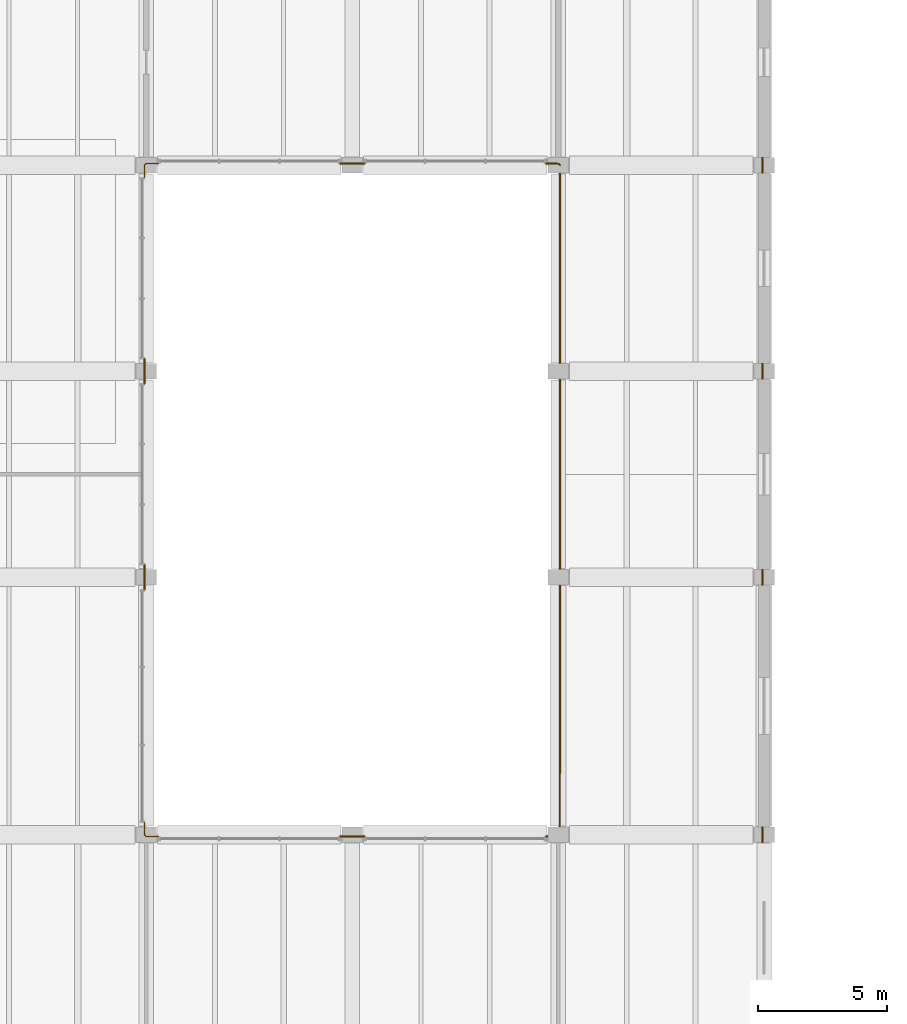
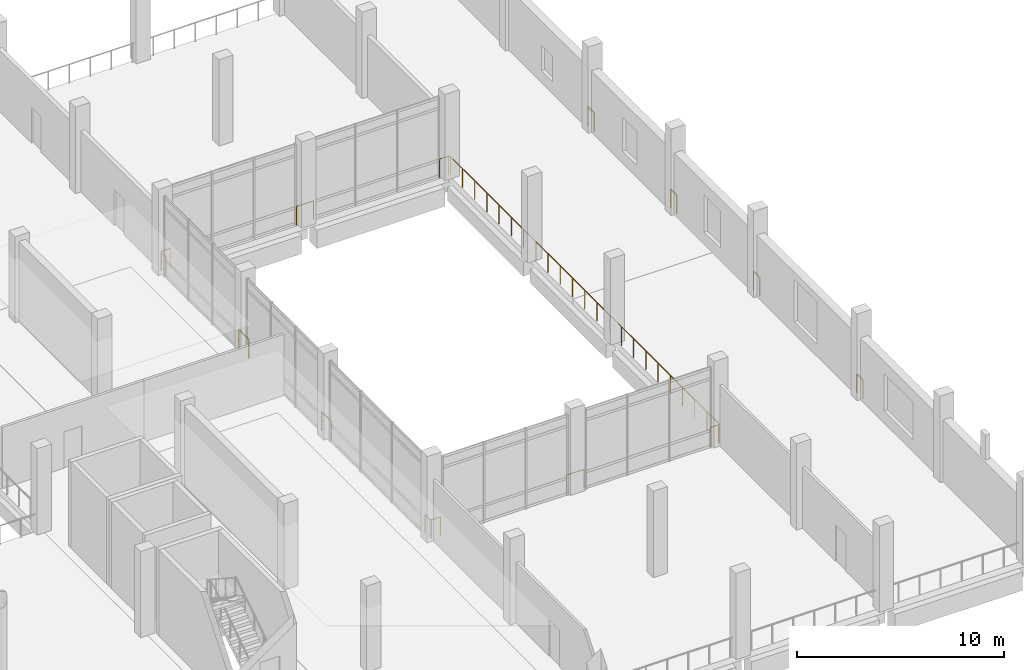
# One storey, part 60 of 61: 12 railings.
"""IFC4 building model written with IfcOpenShell, lengths in metres."""

from ifc_helpers import new_model, si_unit, direction, frame, origin, origin_2d, place, context, subcontext, project, spatial, circle, extrude, material, type_object, element, save


model = new_model("IFC4")

# Units and contexts
model_context = context("Model", 3, precision=1e-05, world=origin(), true_north=direction((0.0, 1.0)))
body_context = subcontext(model_context, "Body", "Model", "MODEL_VIEW")
ifc_project = project(units=[si_unit("LENGTHUNIT", "METRE"), si_unit("AREAUNIT", "SQUARE_METRE"), si_unit("VOLUMEUNIT", "CUBIC_METRE"), si_unit("PLANEANGLEUNIT", "RADIAN"), si_unit("MASSUNIT", "GRAM", prefix="KILO")], contexts=[model_context])

# Site, building, storey
site_placement = place(None, origin())
site = spatial("IfcSite", under=ifc_project, at=site_placement, CompositionType="ELEMENT")
building_placement = place(site_placement, origin())
building = spatial("IfcBuilding", under=site, at=building_placement, Name="Pecanmere Concourse Central Library", CompositionType="ELEMENT")
storey_placement = place(building_placement, frame((0.0, 0.0, 5.39990234375)))
storey = spatial("IfcBuildingStorey", under=building, at=storey_placement, Name="L02", CompositionType="ELEMENT", Elevation=5.39990234375)

# Railings
ifc_material = material(Name="Architectural anodized bronze")
railing_type = type_object("IfcRailingType", Name="RAIL_ATRIUM_BAL", PredefinedType="BALUSTRADE", material=ifc_material)
for number, where, name in (
    (1, (151.9296875, 90.294921875, 0.0), "Deck Edge Protective Balustrade L02-051"),
    (2, (151.929931640625, 82.294921875, 0.0), "Deck Edge Protective Balustrade L02-052"),
    (3, (151.929931640625, 74.294921875, 0.0), "Deck Edge Protective Balustrade L02-053"),
    (4, (151.929931640625, 64.294921875, 0.0), "Deck Edge Protective Balustrade L02-054"),
):
    element("IfcRailing", number, at=place(storey_placement, frame(where)), inside=storey, type_object=railing_type, Name=name, PredefinedType="BALUSTRADE", context=body_context, shape_type="SweptSolid", body=[
        extrude(circle(Radius=0.02392578125, at=origin_2d()), frame((0.0, 0.0, 1.09619140625), z_axis=(0.0, -1.0, 0.0), x_axis=(1.0, 0.0, 0.0)), (0.0, 0.0, 1.0), 0.58984375),
        extrude(circle(Radius=0.02099609375, at=origin_2d()), origin(), (0.0, 0.0, 1.0), 1.072021484375),
        extrude(circle(Radius=0.02099609375, at=origin_2d()), frame((0.0, -0.58984375, 0.0)), (0.0, 0.0, 1.0), 1.072021484375),
    ])
railing_1_placement = place(storey_placement, frame((144.069580078125, 89.996826171875, 0.0)))
element("IfcRailing", 5, at=railing_1_placement, inside=storey, type_object=railing_type, Name="Deck Edge Protective Balustrade L02-057", PredefinedType="BALUSTRADE", context=body_context, shape_type="SweptSolid", body=[
    extrude(circle(Radius=0.02392578125, at=origin_2d()), frame((0.0, 0.0, 1.09619140625), z_axis=(-0.591491231767, 0.806311430369, 0.0), x_axis=(-0.806311430369, -0.591491231767, 0.0)), (0.0, 0.0, 1.0), 0.0830078125),
    extrude(circle(Radius=0.02392578125, at=origin_2d()), frame((-0.049072265625, 0.06689453125, 1.09619140625), z_axis=(-0.999919581385, 0.012681906886, 0.0), x_axis=(-0.012681906886, -0.999919581385, 0.0)), (0.0, 0.0, 1.0), 0.50048828125),
    extrude(circle(Radius=0.02099609375, at=origin_2d()), origin(), (0.0, 0.0, 1.0), 1.072021484375),
    extrude(circle(Radius=0.02099609375, at=origin_2d()), frame((-0.049072265625, 0.06689453125, 0.0)), (0.0, 0.0, 1.0), 1.072021484375),
    extrude(circle(Radius=0.02099609375, at=origin_2d()), frame((-0.549560546875, 0.0732421875, 0.0)), (0.0, 0.0, 1.0), 1.072021484375),
])
railing_2_placement = place(storey_placement, frame((136.47998046875, 90.070068359375, 0.0)))
element("IfcRailing", 6, at=railing_2_placement, inside=storey, type_object=railing_type, Name="Deck Edge Protective Balustrade L02-058", PredefinedType="BALUSTRADE", context=body_context, shape_type="SweptSolid", body=[
    extrude(circle(Radius=0.02392578125, at=origin_2d()), frame((0.0, 0.0, 1.09619140625), z_axis=(-1.0, 0.0, 0.0), x_axis=(0.0, -1.0, 0.0)), (0.0, 0.0, 1.0), 0.9599609375),
    extrude(circle(Radius=0.02099609375, at=origin_2d()), origin(), (0.0, 0.0, 1.0), 1.072021484375),
    extrude(circle(Radius=0.02099609375, at=origin_2d()), frame((-0.9599609375, 0.0, 0.0)), (0.0, 0.0, 1.0), 1.072021484375),
])
railing_3_placement = place(storey_placement, frame((128.47998046875, 90.070068359375, 0.0)))
element("IfcRailing", 7, at=railing_3_placement, inside=storey, type_object=railing_type, Name="Deck Edge Protective Balustrade L02-059", PredefinedType="BALUSTRADE", context=body_context, shape_type="SweptSolid", body=[
    extrude(circle(Radius=0.02392578125, at=origin_2d()), frame((0.0, 0.0, 1.09619140625), z_axis=(-0.999999475645, -0.001024065003, 0.0), x_axis=(0.001024065003, -0.999999475645, 0.0)), (0.0, 0.0, 1.0), 0.476806640625),
    extrude(circle(Radius=0.02392578125, at=origin_2d()), frame((-0.476806640625, -0.00048828125, 1.09619140625), z_axis=(-0.806311430369, -0.591491231767, 0.0), x_axis=(0.591491231767, -0.806311430369, 0.0)), (0.0, 0.0, 1.0), 0.0830078125),
    extrude(circle(Radius=0.02392578125, at=origin_2d()), frame((-0.543701171875, -0.049560546875, 1.09619140625), z_axis=(-0.012681906886, -0.999919581385, 0.0), x_axis=(0.999919581385, -0.012681906886, 0.0)), (0.0, 0.0, 1.0), 0.50048828125),
    extrude(circle(Radius=0.02099609375, at=origin_2d()), origin(), (0.0, 0.0, 1.0), 1.072021484375),
    extrude(circle(Radius=0.02099609375, at=origin_2d()), frame((-0.476806640625, -0.00048828125, 0.0)), (0.0, 0.0, 1.0), 1.072021484375),
    extrude(circle(Radius=0.02099609375, at=origin_2d()), frame((-0.543701171875, -0.049560546875, 0.0)), (0.0, 0.0, 1.0), 1.072021484375),
    extrude(circle(Radius=0.02099609375, at=origin_2d()), frame((-0.550048828125, -0.550048828125, 0.0)), (0.0, 0.0, 1.0), 1.072021484375),
])
for number, where, name in (
    (8, (127.929931640625, 82.47998046875, 0.0), "Deck Edge Protective Balustrade L02-060"),
    (9, (127.929931640625, 74.47998046875, 0.0), "Deck Edge Protective Balustrade L02-061"),
):
    element("IfcRailing", number, at=place(storey_placement, frame(where)), inside=storey, type_object=railing_type, Name=name, PredefinedType="BALUSTRADE", context=body_context, shape_type="SweptSolid", body=[
        extrude(circle(Radius=0.02392578125, at=origin_2d()), frame((0.0, 0.0, 1.09619140625), z_axis=(0.0, -1.0, 0.0), x_axis=(1.0, 0.0, 0.0)), (0.0, 0.0, 1.0), 0.9599609375),
        extrude(circle(Radius=0.02099609375, at=origin_2d()), origin(), (0.0, 0.0, 1.0), 1.072021484375),
        extrude(circle(Radius=0.02099609375, at=origin_2d()), frame((0.0, -0.9599609375, 0.0)), (0.0, 0.0, 1.0), 1.072021484375),
    ])
railing_4_placement = place(storey_placement, frame((127.929931640625, 64.47998046875, 0.0)))
element("IfcRailing", 10, at=railing_4_placement, inside=storey, type_object=railing_type, Name="Deck Edge Protective Balustrade L02-062", PredefinedType="BALUSTRADE", context=body_context, shape_type="SweptSolid", body=[
    extrude(circle(Radius=0.02392578125, at=origin_2d()), frame((0.0, 0.0, 1.09619140625), z_axis=(0.001024065003, -0.999999475645, 0.0), x_axis=(0.999999475645, 0.001024065003, 0.0)), (0.0, 0.0, 1.0), 0.476806640625),
    extrude(circle(Radius=0.02392578125, at=origin_2d()), frame((0.00048828125, -0.476806640625, 1.09619140625), z_axis=(0.591491231767, -0.806311430369, 0.0), x_axis=(0.806311430369, 0.591491231767, 0.0)), (0.0, 0.0, 1.0), 0.0830078125),
    extrude(circle(Radius=0.02392578125, at=origin_2d()), frame((0.049560546875, -0.543701171875, 1.09619140625), z_axis=(0.999919581385, -0.012681906886, 0.0), x_axis=(0.012681906886, 0.999919581385, 0.0)), (0.0, 0.0, 1.0), 0.50048828125),
    extrude(circle(Radius=0.02099609375, at=origin_2d()), origin(), (0.0, 0.0, 1.0), 1.072021484375),
    extrude(circle(Radius=0.02099609375, at=origin_2d()), frame((0.00048828125, -0.476806640625, 0.0)), (0.0, 0.0, 1.0), 1.072021484375),
    extrude(circle(Radius=0.02099609375, at=origin_2d()), frame((0.049560546875, -0.543701171875, 0.0)), (0.0, 0.0, 1.0), 1.072021484375),
    extrude(circle(Radius=0.02099609375, at=origin_2d()), frame((0.550048828125, -0.550048828125, 0.0)), (0.0, 0.0, 1.0), 1.072021484375),
])
railing_5_placement = place(storey_placement, frame((135.52001953125, 63.929931640625, 0.0)))
element("IfcRailing", 11, at=railing_5_placement, inside=storey, type_object=railing_type, Name="Deck Edge Protective Balustrade L02-063", PredefinedType="BALUSTRADE", context=body_context, shape_type="SweptSolid", body=[
    extrude(circle(Radius=0.02392578125, at=origin_2d()), frame((0.0, 0.0, 1.09619140625), z_axis=(1.0, 0.0, 0.0), x_axis=(0.0, 1.0, 0.0)), (0.0, 0.0, 1.0), 0.9599609375),
    extrude(circle(Radius=0.02099609375, at=origin_2d()), origin(), (0.0, 0.0, 1.0), 1.072021484375),
    extrude(circle(Radius=0.02099609375, at=origin_2d()), frame((0.9599609375, 0.0, 0.0)), (0.0, 0.0, 1.0), 1.072021484375),
])
railing_6_placement = place(storey_placement, frame((143.52001953125, 63.929931640625, 0.0)))
element("IfcRailing", 12, at=railing_6_placement, inside=storey, type_object=railing_type, Name="Deck Edge Protective Balustrade L02-064", PredefinedType="BALUSTRADE", context=body_context, shape_type="SweptSolid", body=[
    extrude(circle(Radius=0.02392578125, at=origin_2d()), frame((0.0, 0.0, 1.09619140625), z_axis=(0.999999475645, 0.001024065003, 0.0), x_axis=(-0.001024065003, 0.999999475645, 0.0)), (0.0, 0.0, 1.0), 0.476806640625),
    extrude(circle(Radius=0.02392578125, at=origin_2d()), frame((0.476806640625, 0.00048828125, 1.09619140625), z_axis=(0.806311430369, 0.591491231767, 0.0), x_axis=(-0.591491231767, 0.806311430369, 0.0)), (0.0, 0.0, 1.0), 0.0830078125),
    extrude(circle(Radius=0.02392578125, at=origin_2d()), frame((0.543701171875, 0.049560546875, 1.09619140625), z_axis=(0.000225210425, 0.99999997464, 0.0), x_axis=(-0.99999997464, 0.000225210425, 0.0)), (0.0, 0.0, 1.0), 26.017333984375),
    extrude(circle(Radius=0.02099609375, at=origin_2d()), origin(), (0.0, 0.0, 1.0), 1.072021484375),
    extrude(circle(Radius=0.02099609375, at=origin_2d()), frame((0.476806640625, 0.00048828125, 0.0)), (0.0, 0.0, 1.0), 1.072021484375),
    extrude(circle(Radius=0.02099609375, at=origin_2d()), frame((0.543701171875, 0.049560546875, 0.0)), (0.0, 0.0, 1.0), 1.072021484375),
    extrude(circle(Radius=0.02099609375, at=origin_2d()), frame((0.5439453125, 1.232177734375, 0.0)), (0.0, 0.0, 1.0), 1.072021484375),
    extrude(circle(Radius=0.02099609375, at=origin_2d()), frame((0.544189453125, 2.414794921875, 0.0)), (0.0, 0.0, 1.0), 1.072021484375),
    extrude(circle(Radius=0.02099609375, at=origin_2d()), frame((0.54443359375, 3.597412109375, 0.0)), (0.0, 0.0, 1.0), 1.072021484375),
    extrude(circle(Radius=0.02099609375, at=origin_2d()), frame((0.544677734375, 4.780029296875, 0.0)), (0.0, 0.0, 1.0), 1.072021484375),
    extrude(circle(Radius=0.02099609375, at=origin_2d()), frame((0.544921875, 5.962646484375, 0.0)), (0.0, 0.0, 1.0), 1.072021484375),
    extrude(circle(Radius=0.02099609375, at=origin_2d()), frame((0.54541015625, 7.145263671875, 0.0)), (0.0, 0.0, 1.0), 1.072021484375),
    extrude(circle(Radius=0.02099609375, at=origin_2d()), frame((0.545654296875, 8.327880859375, 0.0)), (0.0, 0.0, 1.0), 1.072021484375),
    extrude(circle(Radius=0.02099609375, at=origin_2d()), frame((0.5458984375, 9.510498046875, 0.0)), (0.0, 0.0, 1.0), 1.072021484375),
    extrude(circle(Radius=0.02099609375, at=origin_2d()), frame((0.546142578125, 10.693115234375, 0.0)), (0.0, 0.0, 1.0), 1.072021484375),
    extrude(circle(Radius=0.02099609375, at=origin_2d()), frame((0.54638671875, 11.875732421875, 0.0)), (0.0, 0.0, 1.0), 1.072021484375),
    extrude(circle(Radius=0.02099609375, at=origin_2d()), frame((0.546630859375, 13.05810546875, 0.0)), (0.0, 0.0, 1.0), 1.072021484375),
    extrude(circle(Radius=0.02099609375, at=origin_2d()), frame((0.546875, 14.24072265625, 0.0)), (0.0, 0.0, 1.0), 1.072021484375),
    extrude(circle(Radius=0.02099609375, at=origin_2d()), frame((0.547119140625, 15.42333984375, 0.0)), (0.0, 0.0, 1.0), 1.072021484375),
    extrude(circle(Radius=0.02099609375, at=origin_2d()), frame((0.54736328125, 16.60595703125, 0.0)), (0.0, 0.0, 1.0), 1.072021484375),
    extrude(circle(Radius=0.02099609375, at=origin_2d()), frame((0.547607421875, 17.78857421875, 0.0)), (0.0, 0.0, 1.0), 1.072021484375),
    extrude(circle(Radius=0.02099609375, at=origin_2d()), frame((0.5478515625, 18.97119140625, 0.0)), (0.0, 0.0, 1.0), 1.072021484375),
    extrude(circle(Radius=0.02099609375, at=origin_2d()), frame((0.54833984375, 20.15380859375, 0.0)), (0.0, 0.0, 1.0), 1.072021484375),
    extrude(circle(Radius=0.02099609375, at=origin_2d()), frame((0.548583984375, 21.33642578125, 0.0)), (0.0, 0.0, 1.0), 1.072021484375),
    extrude(circle(Radius=0.02099609375, at=origin_2d()), frame((0.548828125, 22.51904296875, 0.0)), (0.0, 0.0, 1.0), 1.072021484375),
    extrude(circle(Radius=0.02099609375, at=origin_2d()), frame((0.549072265625, 23.70166015625, 0.0)), (0.0, 0.0, 1.0), 1.072021484375),
    extrude(circle(Radius=0.02099609375, at=origin_2d()), frame((0.54931640625, 24.88427734375, 0.0)), (0.0, 0.0, 1.0), 1.072021484375),
    extrude(circle(Radius=0.02099609375, at=origin_2d()), frame((0.549560546875, 26.06689453125, 0.0)), (0.0, 0.0, 1.0), 1.072021484375),
])

save(model, "model.ifc")
